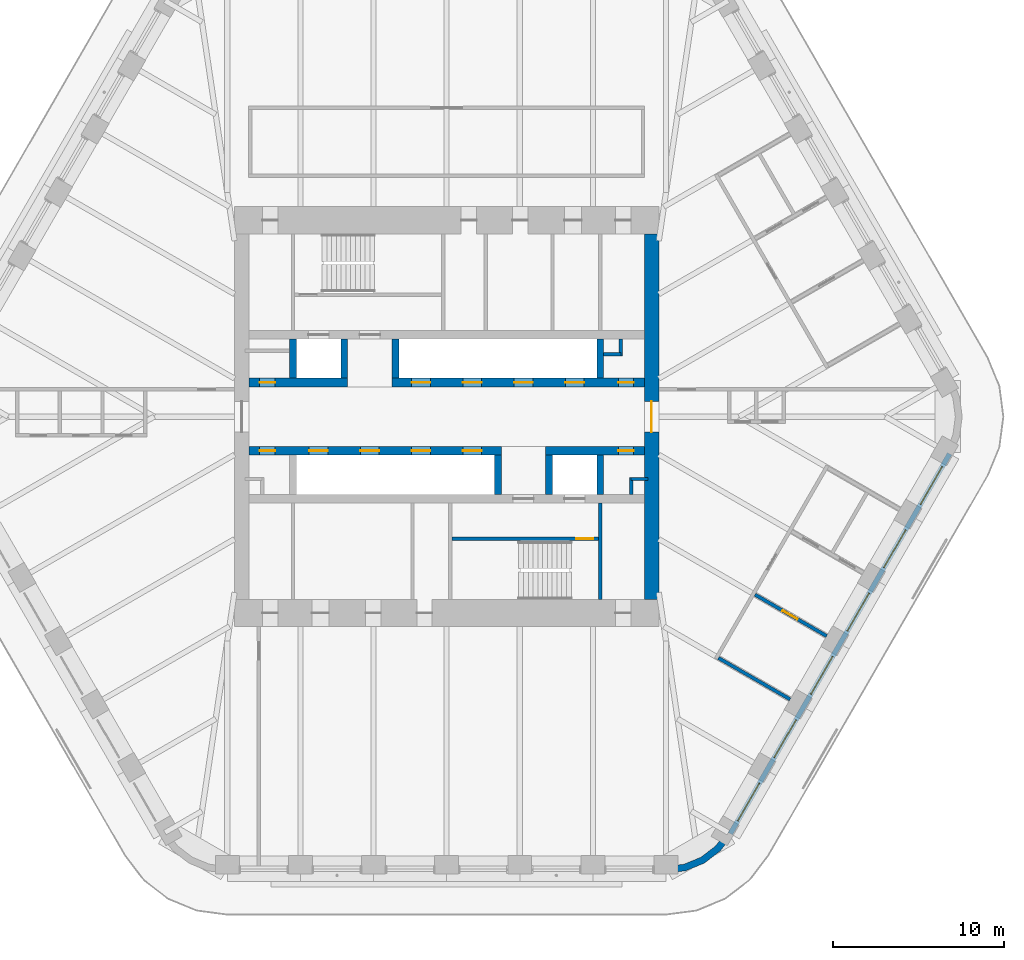
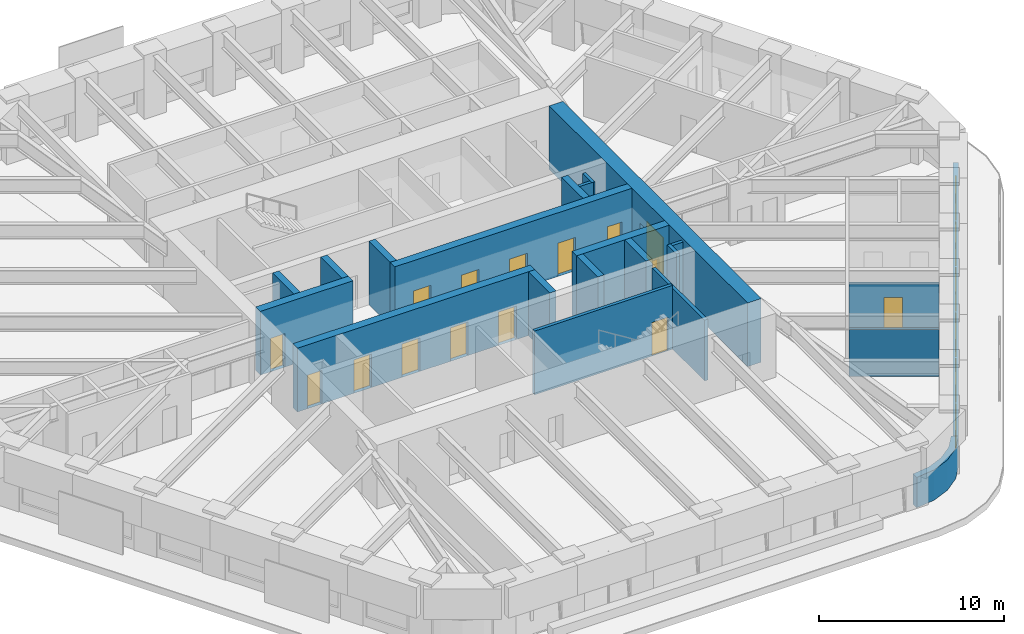
# One storey, part 14 of 18: 22 walls, 15 doors, 6 windows, 21 openings.
"""IFC4 building model written with IfcOpenShell, lengths in metres."""

from ifc_helpers import new_model, si_unit, direction, frame, frame_2d, origin, place, context, subcontext, project, spatial, polyline, rectangle, outline, extrude, material, layer, layer_set, type_object, element, fill, save


model = new_model("IFC4")

# Units and contexts
model_context = context("Model", 3, precision=1e-05, world=origin(), true_north=direction((0.0, 1.0)))
body_context = subcontext(model_context, "Body", "Model", "MODEL_VIEW")
ifc_project = project(units=[si_unit("LENGTHUNIT", "METRE"), si_unit("AREAUNIT", "SQUARE_METRE"), si_unit("VOLUMEUNIT", "CUBIC_METRE"), si_unit("PLANEANGLEUNIT", "RADIAN"), si_unit("MASSUNIT", "GRAM", prefix="KILO")], contexts=[model_context])

# Site, building, storey
site_placement = place(None, origin())
site = spatial("IfcSite", under=ifc_project, at=site_placement, CompositionType="ELEMENT")
building_placement = place(site_placement, origin())
building = spatial("IfcBuilding", under=site, at=building_placement, Name="Tarfa Lantern Tower", CompositionType="ELEMENT")
storey_placement = place(building_placement, frame((0.0, 0.0, 324.10009765625)))
storey = spatial("IfcBuildingStorey", under=building, at=storey_placement, Name="L73", CompositionType="ELEMENT", Elevation=324.10009765625)

# Wall, openings, windows
ifc_material_1 = material(Name="Limestone cladding on blockwork", Category="masonry")
ifc_layer_1 = layer(ifc_material_1, 0.300048828125)
ifc_layer_set_1 = layer_set([ifc_layer_1], Name="EW1 STONE-CLAD WALL 300")
wall_type_1 = type_object("IfcWallType", Name="EW1 STONE-CLAD WALL 300", PredefinedType="SOLIDWALL", material=ifc_layer_set_1)
wall_1_placement = place(storey_placement, frame((16.61328125, -24.425048828125, 0.0), z_axis=(0.0, 0.0, 1.0), x_axis=(0.499997191038, 0.866027025533, 0.0)))
wall_1 = element("IfcWall", 1, at=wall_1_placement, inside=storey, type_object=wall_type_1, Name="Stone wall SE", PredefinedType="SOLIDWALL", context=body_context, shape_type="SweptSolid", body=[
    extrude(rectangle(XDim=25.692138671875, YDim=0.300048828125, at=frame_2d((12.84619140625, 0.0))), origin(), (0.0, 0.0, 1.0), 2.0),
])
opening_1_placement = place(wall_1_placement, frame((0.865966796875, 0.0, 0.60009765625)))
opening_1 = element("IfcOpeningElement", 2, at=opening_1_placement, cuts=wall_1, Name="Opening W16", PredefinedType="OPENING", context=body_context, shape_type="SweptSolid", body=[
    extrude(rectangle(XDim=2.550048828125, YDim=1.14990234375, at=frame_2d((1.27490234375, 0.574951171875))), frame((0.0, 0.159912109375, 0.0), z_axis=(0.0, -1.0, 0.0), x_axis=(1.0, 0.0, 0.0)), (0.0, 0.0, 1.0), 0.320068359375),
])
opening_2_placement = place(wall_1_placement, frame((5.14794921875, 0.0, 0.60009765625)))
opening_2 = element("IfcOpeningElement", 3, at=opening_2_placement, cuts=wall_1, Name="Opening W16", PredefinedType="OPENING", context=body_context, shape_type="SweptSolid", body=[
    extrude(rectangle(XDim=2.550048828125, YDim=1.14990234375, at=frame_2d((1.27490234375, 0.574951171875))), frame((0.0, 0.159912109375, 0.0), z_axis=(0.0, -1.0, 0.0), x_axis=(1.0, 0.0, 0.0)), (0.0, 0.0, 1.0), 0.320068359375),
])
opening_3_placement = place(wall_1_placement, frame((9.429931640625, 0.0, 0.60009765625)))
opening_3 = element("IfcOpeningElement", 4, at=opening_3_placement, cuts=wall_1, Name="Opening W16", PredefinedType="OPENING", context=body_context, shape_type="SweptSolid", body=[
    extrude(rectangle(XDim=2.550048828125, YDim=1.14990234375, at=frame_2d((1.27490234375, 0.574951171875))), frame((0.0, 0.159912109375, 0.0), z_axis=(0.0, -1.0, 0.0), x_axis=(1.0, 0.0, 0.0)), (0.0, 0.0, 1.0), 0.320068359375),
])
opening_4_placement = place(wall_1_placement, frame((13.712158203125, 0.0, 0.60009765625)))
opening_4 = element("IfcOpeningElement", 5, at=opening_4_placement, cuts=wall_1, Name="Opening W16", PredefinedType="OPENING", context=body_context, shape_type="SweptSolid", body=[
    extrude(rectangle(XDim=2.550048828125, YDim=1.14990234375, at=frame_2d((1.27490234375, 0.574951171875))), frame((0.0, 0.159912109375, 0.0), z_axis=(0.0, -1.0, 0.0), x_axis=(1.0, 0.0, 0.0)), (0.0, 0.0, 1.0), 0.320068359375),
])
opening_5_placement = place(wall_1_placement, frame((17.994140625, 0.0, 0.60009765625)))
opening_5 = element("IfcOpeningElement", 6, at=opening_5_placement, cuts=wall_1, Name="Opening W16", PredefinedType="OPENING", context=body_context, shape_type="SweptSolid", body=[
    extrude(rectangle(XDim=2.550048828125, YDim=1.14990234375, at=frame_2d((1.27490234375, 0.574951171875))), frame((0.0, 0.159912109375, 0.0), z_axis=(0.0, -1.0, 0.0), x_axis=(1.0, 0.0, 0.0)), (0.0, 0.0, 1.0), 0.320068359375),
])
opening_6_placement = place(wall_1_placement, frame((22.276123046875, 0.0, 0.60009765625)))
opening_6 = element("IfcOpeningElement", 7, at=opening_6_placement, cuts=wall_1, Name="Opening W16", PredefinedType="OPENING", context=body_context, shape_type="SweptSolid", body=[
    extrude(rectangle(XDim=2.550048828125, YDim=1.14990234375, at=frame_2d((1.27490234375, 0.574951171875))), frame((0.0, 0.159912109375, 0.0), z_axis=(0.0, -1.0, 0.0), x_axis=(1.0, 0.0, 0.0)), (0.0, 0.0, 1.0), 0.320068359375),
])
ifc_material_2 = material(Name="Aluminium frame, double glazed", Category="aluminium")
window_type = type_object("IfcWindowType", Name="W16 FULL-HEIGHT GLAZING 2550x1150", PartitioningType="SINGLE_PANEL", PredefinedType="WINDOW", material=ifc_material_2)
window_1_placement = place(opening_1_placement, origin())
window_1 = element("IfcWindow", 8, at=window_1_placement, inside=storey, type_object=window_type, Name="Window SE 1", OverallHeight=1.14990234375, OverallWidth=2.550048828125, PartitioningType="SINGLE_PANEL", PredefinedType="WINDOW", context=body_context, shape_type="SweptSolid", body=[
    extrude(rectangle(XDim=2.550048828125, YDim=1.14990234375, at=frame_2d((1.27490234375, 0.574951171875))), frame((0.0, 0.030029296875, 0.0), z_axis=(0.0, -1.0, 0.0), x_axis=(1.0, 0.0, 0.0)), (0.0, 0.0, 1.0), 0.06005859375),
])
fill(opening_1, window_1)
window_2_placement = place(opening_2_placement, origin())
window_2 = element("IfcWindow", 9, at=window_2_placement, inside=storey, type_object=window_type, Name="Window SE 2", OverallHeight=1.14990234375, OverallWidth=2.550048828125, PartitioningType="SINGLE_PANEL", PredefinedType="WINDOW", context=body_context, shape_type="SweptSolid", body=[
    extrude(rectangle(XDim=2.550048828125, YDim=1.14990234375, at=frame_2d((1.27490234375, 0.574951171875))), frame((0.0, 0.030029296875, 0.0), z_axis=(0.0, -1.0, 0.0), x_axis=(1.0, 0.0, 0.0)), (0.0, 0.0, 1.0), 0.06005859375),
])
fill(opening_2, window_2)
window_3_placement = place(opening_3_placement, origin())
window_3 = element("IfcWindow", 10, at=window_3_placement, inside=storey, type_object=window_type, Name="Window SE 3", OverallHeight=1.14990234375, OverallWidth=2.550048828125, PartitioningType="SINGLE_PANEL", PredefinedType="WINDOW", context=body_context, shape_type="SweptSolid", body=[
    extrude(rectangle(XDim=2.550048828125, YDim=1.14990234375, at=frame_2d((1.27490234375, 0.574951171875))), frame((0.0, 0.030029296875, 0.0), z_axis=(0.0, -1.0, 0.0), x_axis=(1.0, 0.0, 0.0)), (0.0, 0.0, 1.0), 0.06005859375),
])
fill(opening_3, window_3)
window_4_placement = place(opening_4_placement, origin())
window_4 = element("IfcWindow", 11, at=window_4_placement, inside=storey, type_object=window_type, Name="Window SE 4", OverallHeight=1.14990234375, OverallWidth=2.550048828125, PartitioningType="SINGLE_PANEL", PredefinedType="WINDOW", context=body_context, shape_type="SweptSolid", body=[
    extrude(rectangle(XDim=2.550048828125, YDim=1.14990234375, at=frame_2d((1.27490234375, 0.574951171875))), frame((0.0, 0.030029296875, 0.0), z_axis=(0.0, -1.0, 0.0), x_axis=(1.0, 0.0, 0.0)), (0.0, 0.0, 1.0), 0.06005859375),
])
fill(opening_4, window_4)
window_5_placement = place(opening_5_placement, origin())
window_5 = element("IfcWindow", 12, at=window_5_placement, inside=storey, type_object=window_type, Name="Window SE 5", OverallHeight=1.14990234375, OverallWidth=2.550048828125, PartitioningType="SINGLE_PANEL", PredefinedType="WINDOW", context=body_context, shape_type="SweptSolid", body=[
    extrude(rectangle(XDim=2.550048828125, YDim=1.14990234375, at=frame_2d((1.27490234375, 0.574951171875))), frame((0.0, 0.030029296875, 0.0), z_axis=(0.0, -1.0, 0.0), x_axis=(1.0, 0.0, 0.0)), (0.0, 0.0, 1.0), 0.06005859375),
])
fill(opening_5, window_5)
window_6_placement = place(opening_6_placement, origin())
window_6 = element("IfcWindow", 13, at=window_6_placement, inside=storey, type_object=window_type, Name="Window SE 6", OverallHeight=1.14990234375, OverallWidth=2.550048828125, PartitioningType="SINGLE_PANEL", PredefinedType="WINDOW", context=body_context, shape_type="SweptSolid", body=[
    extrude(rectangle(XDim=2.550048828125, YDim=1.14990234375, at=frame_2d((1.27490234375, 0.574951171875))), frame((0.0, 0.030029296875, 0.0), z_axis=(0.0, -1.0, 0.0), x_axis=(1.0, 0.0, 0.0)), (0.0, 0.0, 1.0), 0.06005859375),
])
fill(opening_6, window_6)

# Walls
ifc_layer_2 = layer(ifc_material_1, 0.39990234375)
ifc_layer_set_2 = layer_set([ifc_layer_2], Name="EW2 CURVED STONE CORNER 400")
wall_type_2 = type_object("IfcWallType", Name="EW2 CURVED STONE CORNER 400", PredefinedType="SOLIDWALL", material=ifc_layer_set_2)
wall_2_placement = place(storey_placement, origin())
element("IfcWall", 14, at=wall_2_placement, inside=storey, type_object=wall_type_2, Name="Stone corner S-SE", PredefinedType="SOLIDWALL", context=body_context, shape_type="SweptSolid", body=[
    extrude(outline(polyline([(12.845947265625, -26.75), (14.0107421875, -26.5966796875), (15.095947265625, -26.147216796875), (16.028076171875, -25.431884765625), (16.7431640625, -24.5), (16.396728515625, -24.300048828125), (15.7451171875, -25.149169921875), (14.89599609375, -25.80078125), (13.9072265625, -26.210205078125), (12.845947265625, -26.35009765625), (12.845947265625, -26.75)])), origin(), (0.0, 0.0, 1.0), 2.0),
])
ifc_material_3 = material(Name="Concrete blockwork", Category="masonry")
ifc_layer_3 = layer(ifc_material_3, 0.199951171875)
ifc_layer_set_3 = layer_set([ifc_layer_3], Name="IW1 BLOCKWORK PARTITION 200 EI 120")
wall_type_3 = type_object("IfcWallType", Name="IW1 BLOCKWORK PARTITION 200 EI 120", PredefinedType="PARTITIONING", material=ifc_layer_set_3)
wall_3_placement = place(storey_placement, frame((9.0, -5.050048828125, 0.0), z_axis=(0.0, 0.0, 1.0), x_axis=(0.0, -1.0, 0.0)))
element("IfcWall", 15, at=wall_3_placement, inside=storey, type_object=wall_type_3, Name="Core partition", PredefinedType="PARTITIONING", context=body_context, shape_type="SweptSolid", body=[
    extrude(rectangle(XDim=5.64990234375, YDim=0.199951171875, at=frame_2d((2.824951171875, 0.0))), origin(), (0.0, 0.0, 1.0), 4.0),
])
for number, where, z_axis, x_axis, name in (
    (16, (9.199951171875, 3.64990234375, 0.0), (0.0, 0.0, 1.0), (1.0, 0.0, 0.0), "Core partition"),
    (17, (10.199951171875, 3.550048828125, 0.0), (0.0, 0.0, 1.0), (0.0, 1.0, 0.0), "Core partition"),
    (18, (11.800048828125, -3.64990234375, 0.0), (0.0, 0.0, 1.0), (-1.0, 0.0, 0.0), "Core partition"),
    (19, (10.800048828125, -3.550048828125, 0.0), (0.0, 0.0, 1.0), (0.0, -1.0, 0.0), "Core partition"),
):
    element("IfcWall", number, at=place(storey_placement, frame(where, z_axis=z_axis, x_axis=x_axis)), inside=storey, type_object=wall_type_3, Name=name, PredefinedType="PARTITIONING", context=body_context, shape_type="SweptSolid", body=[
        extrude(rectangle(XDim=1.0, YDim=0.199951171875, at=frame_2d((0.5, 0.0))), origin(), (0.0, 0.0, 1.0), 4.0),
    ])
ifc_material_4 = material(Name="Gypsum board on steel studs", Category="steel")
ifc_layer_4 = layer(ifc_material_4, 0.2099609375)
ifc_layer_set_4 = layer_set([ifc_layer_4], Name="IW2 ACOUSTIC PARTITION 200")
wall_type_4 = type_object("IfcWallType", Name="IW2 ACOUSTIC PARTITION 200", PredefinedType="PARTITIONING", material=ifc_layer_set_4)
wall_4_placement = place(storey_placement, frame((15.91552734375, -14.13330078125, 0.0), z_axis=(0.0, 0.0, 1.0), x_axis=(0.866032190624, -0.499988244665, 0.0)))
element("IfcWall", 20, at=wall_4_placement, inside=storey, type_object=wall_type_4, Name="Partition", PredefinedType="PARTITIONING", context=body_context, shape_type="SweptSolid", body=[
    extrude(rectangle(XDim=4.85009765625, YDim=0.199951171875, at=frame_2d((2.425048828125, 0.0))), origin(), (0.0, 0.0, 1.0), 3.08154296875),
])

# Wall, opening, door
wall_5_placement = place(storey_placement, frame((18.056640625, -10.425048828125, 0.0), z_axis=(0.0, 0.0, 1.0), x_axis=(0.866019606374, -0.500010041276, 0.0)))
wall_5 = element("IfcWall", 21, at=wall_5_placement, inside=storey, type_object=wall_type_4, Name="Partition", PredefinedType="PARTITIONING", context=body_context, shape_type="SweptSolid", body=[
    extrude(rectangle(XDim=4.85009765625, YDim=0.199951171875, at=frame_2d((2.425048828125, 0.0))), origin(), (0.0, 0.0, 1.0), 3.08154296875),
])
opening_7_placement = place(wall_5_placement, frame((1.875, 0.0, 0.0)))
opening_7 = element("IfcOpeningElement", 22, at=opening_7_placement, cuts=wall_5, Name="Opening D25", PredefinedType="OPENING", context=body_context, shape_type="SweptSolid", body=[
    extrude(rectangle(XDim=1.0, YDim=2.199951171875, at=frame_2d((0.5, 1.10009765625))), frame((0.0, 0.10986328125, 0.0), z_axis=(0.0, -1.0, 0.0), x_axis=(1.0, 0.0, 0.0)), (0.0, 0.0, 1.0), 0.219970703125),
])
ifc_material_5 = material(Name="Timber door", Category="wood")
door_type_1 = type_object("IfcDoorType", Name="DR1 ROOM DOOR 1000x2200", OperationType="SINGLE_SWING_LEFT", PredefinedType="DOOR", material=ifc_material_5)
door_1_placement = place(opening_7_placement, frame((1.0, 0.0, 0.0), z_axis=(0.0, 0.0, 1.0), x_axis=(-1.0, 0.0, 0.0)))
door_1 = element("IfcDoor", 23, at=door_1_placement, inside=storey, type_object=door_type_1, Name="Executive office door", OperationType="SINGLE_SWING_LEFT", OverallHeight=2.199951171875, OverallWidth=1.0, PredefinedType="DOOR", context=body_context, shape_type="SweptSolid", body=[
    extrude(rectangle(XDim=1.0, YDim=2.199951171875, at=frame_2d((0.5, 1.10009765625))), frame((0.0, 0.02490234375, 0.0), z_axis=(0.0, -1.0, 0.0), x_axis=(1.0, 0.0, 0.0)), (0.0, 0.0, 1.0), 0.050048828125),
])
fill(opening_7, door_1)

ifc_material_6 = material(Name="Concrete C80/95", Category="concrete")
ifc_layer_5 = layer(ifc_material_6, 0.199951171875)
ifc_layer_set_5 = layer_set([ifc_layer_5], Name="SW12 CORE WALL 200")
wall_type_5 = type_object("IfcWallType", Name="SW12 CORE WALL 200", PredefinedType="SHEAR", material=ifc_layer_set_5)
wall_6_placement = place(storey_placement, frame((8.89990234375, -7.14990234375, 0.0), z_axis=(0.0, 0.0, 1.0), x_axis=(-1.0, 0.0, 0.0)))
wall_6 = element("IfcWall", 24, at=wall_6_placement, inside=storey, type_object=wall_type_5, Name="Core wall stair partition S", PredefinedType="SHEAR", context=body_context, shape_type="SweptSolid", body=[
    extrude(rectangle(XDim=8.599853515625, YDim=0.199951171875, at=frame_2d((4.2998046875, 0.0))), origin(), (0.0, 0.0, 1.0), 4.199951171875),
])
opening_8_placement = place(wall_6_placement, frame((0.300048828125, 0.0, 0.0)))
opening_8 = element("IfcOpeningElement", 25, at=opening_8_placement, cuts=wall_6, Name="Opening D20", PredefinedType="OPENING", context=body_context, shape_type="SweptSolid", body=[
    extrude(rectangle(XDim=1.0, YDim=2.199951171875, at=frame_2d((0.5, 1.10009765625))), frame((0.0, 0.10986328125, 0.0), z_axis=(0.0, -1.0, 0.0), x_axis=(1.0, 0.0, 0.0)), (0.0, 0.0, 1.0), 0.219970703125),
])
ifc_material_7 = material(Name="Steel fire door", Category="steel")
door_type_2 = type_object("IfcDoorType", Name="DF2 STAIR DOOR 1000x2200", OperationType="SINGLE_SWING_LEFT", PredefinedType="DOOR", material=ifc_material_7)
door_2_placement = place(opening_8_placement, origin())
door_2 = element("IfcDoor", 26, at=door_2_placement, inside=storey, type_object=door_type_2, Name="Stair door", OperationType="SINGLE_SWING_RIGHT", OverallHeight=2.199951171875, OverallWidth=1.0, PredefinedType="DOOR", context=body_context, shape_type="SweptSolid", body=[
    extrude(rectangle(XDim=1.0, YDim=2.199951171875, at=frame_2d((0.5, 1.10009765625))), frame((0.0, 0.02490234375, 0.0), z_axis=(0.0, -1.0, 0.0), x_axis=(1.0, 0.0, 0.0)), (0.0, 0.0, 1.0), 0.050048828125),
])
fill(opening_8, door_2)

ifc_layer_6 = layer(ifc_material_6, 0.85009765625)
ifc_layer_set_6 = layer_set([ifc_layer_6], Name="SW3 CORE WALL 850")
wall_type_6 = type_object("IfcWallType", Name="SW3 CORE WALL 850", PredefinedType="SHEAR", material=ifc_layer_set_6)
wall_7_placement = place(storey_placement, frame((12.0, -10.699951171875, 0.0), z_axis=(0.0, 0.0, 1.0), x_axis=(0.0, 1.0, 0.0)))
wall_7 = element("IfcWall", 27, at=wall_7_placement, inside=storey, type_object=wall_type_6, Name="Core wall E", PredefinedType="SHEAR", context=body_context, shape_type="SweptSolid", body=[
    extrude(rectangle(XDim=21.39990234375, YDim=0.85009765625, at=frame_2d((10.699951171875, 0.0))), origin(), (0.0, 0.0, 1.0), 4.199951171875),
])
opening_9_placement = place(wall_7_placement, frame((9.800048828125, 0.0, 0.0)))
opening_9 = element("IfcOpeningElement", 28, at=opening_9_placement, cuts=wall_7, Name="Opening D07", PredefinedType="OPENING", context=body_context, shape_type="SweptSolid", body=[
    extrude(rectangle(XDim=1.800048828125, YDim=2.39990234375, at=frame_2d((0.89990234375, 1.199951171875))), frame((0.0, 0.43505859375, 0.0), z_axis=(0.0, -1.0, 0.0), x_axis=(1.0, 0.0, 0.0)), (0.0, 0.0, 1.0), 0.8701171875),
])
door_type_3 = type_object("IfcDoorType", Name="DL1 LOBBY DOOR 1800x2400", OperationType="DOUBLE_DOOR_SINGLE_SWING", PredefinedType="DOOR", material=ifc_material_7)
door_3_placement = place(opening_9_placement, frame((1.800048828125, 0.0, 0.0), z_axis=(0.0, 0.0, 1.0), x_axis=(-1.0, 0.0, 0.0)))
door_3 = element("IfcDoor", 29, at=door_3_placement, inside=storey, type_object=door_type_3, Name="Lift lobby door", OperationType="DOUBLE_DOOR_SINGLE_SWING", OverallHeight=2.39990234375, OverallWidth=1.800048828125, PredefinedType="DOOR", context=body_context, shape_type="SweptSolid", body=[
    extrude(rectangle(XDim=1.800048828125, YDim=2.39990234375, at=frame_2d((0.89990234375, 1.199951171875))), frame((0.0, 0.02490234375, 0.0), z_axis=(0.0, -1.0, 0.0), x_axis=(1.0, 0.0, 0.0)), (0.0, 0.0, 1.0), 0.050048828125),
])
fill(opening_9, door_3)

ifc_layer_7 = layer(ifc_material_6, 0.5)
ifc_layer_set_7 = layer_set([ifc_layer_7], Name="SW5 CORE WALL 500")
wall_type_7 = type_object("IfcWallType", Name="SW5 CORE WALL 500", PredefinedType="SHEAR", material=ifc_layer_set_7)
wall_8_placement = place(storey_placement, frame((-11.574951171875, 2.0, 0.0), z_axis=(0.0, 0.0, 1.0), x_axis=(1.0, 0.0, 0.0)))
wall_8 = element("IfcWall", 30, at=wall_8_placement, inside=storey, type_object=wall_type_7, Name="Core wall lobby west N", PredefinedType="SHEAR", context=body_context, shape_type="SweptSolid", body=[
    extrude(rectangle(XDim=5.77490234375, YDim=0.5, at=frame_2d((2.887451171875, 0.0))), origin(), (0.0, 0.0, 1.0), 4.199951171875),
])
opening_10_placement = place(wall_8_placement, frame((0.625, 0.0, 0.0)))
opening_10 = element("IfcOpeningElement", 31, at=opening_10_placement, cuts=wall_8, Name="Opening D11", PredefinedType="OPENING", context=body_context, shape_type="SweptSolid", body=[
    extrude(rectangle(XDim=0.89990234375, YDim=2.199951171875, at=frame_2d((0.449951171875, 1.10009765625))), frame((0.0, 0.260009765625, 0.0), z_axis=(0.0, -1.0, 0.0), x_axis=(1.0, 0.0, 0.0)), (0.0, 0.0, 1.0), 0.52001953125),
])
door_type_4 = type_object("IfcDoorType", Name="DF6 SERVICE ROOM DOOR 900x2200", OperationType="SINGLE_SWING_LEFT", PredefinedType="DOOR", material=ifc_material_7)
door_4_placement = place(opening_10_placement, origin())
door_4 = element("IfcDoor", 32, at=door_4_placement, inside=storey, type_object=door_type_4, Name="Service room door", OperationType="SINGLE_SWING_RIGHT", OverallHeight=2.199951171875, OverallWidth=0.89990234375, PredefinedType="DOOR", context=body_context, shape_type="SweptSolid", body=[
    extrude(rectangle(XDim=0.89990234375, YDim=2.199951171875, at=frame_2d((0.449951171875, 1.10009765625))), frame((0.0, 0.02490234375, 0.0), z_axis=(0.0, -1.0, 0.0), x_axis=(1.0, 0.0, 0.0)), (0.0, 0.0, 1.0), 0.050048828125),
])
fill(opening_10, door_4)

# Wall, openings, doors
wall_9_placement = place(storey_placement, frame((-3.199951171875, 2.0, 0.0), z_axis=(0.0, 0.0, 1.0), x_axis=(1.0, 0.0, 0.0)))
wall_9 = element("IfcWall", 33, at=wall_9_placement, inside=storey, type_object=wall_type_7, Name="Core wall lobby east N", PredefinedType="SHEAR", context=body_context, shape_type="SweptSolid", body=[
    extrude(rectangle(XDim=14.77490234375, YDim=0.5, at=frame_2d((7.387451171875, 0.0))), origin(), (0.0, 0.0, 1.0), 4.199951171875),
])
opening_11_placement = place(wall_9_placement, frame((13.25, 0.0, 0.0)))
opening_11 = element("IfcOpeningElement", 34, at=opening_11_placement, cuts=wall_9, Name="Opening D09", PredefinedType="OPENING", context=body_context, shape_type="SweptSolid", body=[
    extrude(rectangle(XDim=0.89990234375, YDim=2.199951171875, at=frame_2d((0.449951171875, 1.10009765625))), frame((0.0, 0.260009765625, 0.0), z_axis=(0.0, -1.0, 0.0), x_axis=(1.0, 0.0, 0.0)), (0.0, 0.0, 1.0), 0.52001953125),
])
opening_12_placement = place(wall_9_placement, frame((1.14990234375, 0.0, 0.0)))
opening_12 = element("IfcOpeningElement", 35, at=opening_12_placement, cuts=wall_9, Name="Opening LD03", PredefinedType="OPENING", context=body_context, shape_type="SweptSolid", body=[
    extrude(rectangle(XDim=1.10009765625, YDim=2.199951171875, at=frame_2d((0.550048828125, 1.10009765625))), frame((0.0, 0.260009765625, 0.0), z_axis=(0.0, -1.0, 0.0), x_axis=(1.0, 0.0, 0.0)), (0.0, 0.0, 1.0), 0.52001953125),
])
opening_13_placement = place(wall_9_placement, frame((4.14990234375, 0.0, 0.0)))
opening_13 = element("IfcOpeningElement", 36, at=opening_13_placement, cuts=wall_9, Name="Opening LD04", PredefinedType="OPENING", context=body_context, shape_type="SweptSolid", body=[
    extrude(rectangle(XDim=1.10009765625, YDim=2.199951171875, at=frame_2d((0.550048828125, 1.10009765625))), frame((0.0, 0.260009765625, 0.0), z_axis=(0.0, -1.0, 0.0), x_axis=(1.0, 0.0, 0.0)), (0.0, 0.0, 1.0), 0.52001953125),
])
opening_14_placement = place(wall_9_placement, frame((7.14990234375, 0.0, 0.0)))
opening_14 = element("IfcOpeningElement", 37, at=opening_14_placement, cuts=wall_9, Name="Opening LD05", PredefinedType="OPENING", context=body_context, shape_type="SweptSolid", body=[
    extrude(rectangle(XDim=1.10009765625, YDim=2.199951171875, at=frame_2d((0.550048828125, 1.10009765625))), frame((0.0, 0.260009765625, 0.0), z_axis=(0.0, -1.0, 0.0), x_axis=(1.0, 0.0, 0.0)), (0.0, 0.0, 1.0), 0.52001953125),
])
opening_15_placement = place(wall_9_placement, frame((10.14990234375, 0.0, 0.0)))
opening_15 = element("IfcOpeningElement", 38, at=opening_15_placement, cuts=wall_9, Name="Opening LD06", PredefinedType="OPENING", context=body_context, shape_type="SweptSolid", body=[
    extrude(rectangle(XDim=1.10009765625, YDim=2.199951171875, at=frame_2d((0.550048828125, 1.10009765625))), frame((0.0, 0.260009765625, 0.0), z_axis=(0.0, -1.0, 0.0), x_axis=(1.0, 0.0, 0.0)), (0.0, 0.0, 1.0), 0.52001953125),
])
door_5_placement = place(opening_11_placement, origin())
door_5 = element("IfcDoor", 39, at=door_5_placement, inside=storey, type_object=door_type_4, Name="Service room door", OperationType="SINGLE_SWING_LEFT", OverallHeight=2.199951171875, OverallWidth=0.89990234375, PredefinedType="DOOR", context=body_context, shape_type="SweptSolid", body=[
    extrude(rectangle(XDim=0.89990234375, YDim=2.199951171875, at=frame_2d((0.449951171875, 1.10009765625))), frame((0.0, 0.02490234375, 0.0), z_axis=(0.0, -1.0, 0.0), x_axis=(1.0, 0.0, 0.0)), (0.0, 0.0, 1.0), 0.050048828125),
])
fill(opening_11, door_5)
ifc_material_8 = material(Name="Stainless steel lift door", Category="steel")
door_type_5 = type_object("IfcDoorType", Name="LD2 LIFT LANDING DOOR 1100x2200", OperationType="SLIDING_TO_LEFT", PredefinedType="DOOR", material=ifc_material_8)
door_6_placement = place(opening_12_placement, frame((1.10009765625, 0.0, 0.0), z_axis=(0.0, 0.0, 1.0), x_axis=(-1.0, 0.0, 0.0)))
door_6 = element("IfcDoor", 40, at=door_6_placement, inside=storey, type_object=door_type_5, Name="Landing door PD1", OperationType="SLIDING_TO_LEFT", OverallHeight=2.199951171875, OverallWidth=1.10009765625, PredefinedType="DOOR", context=body_context, shape_type="SweptSolid", body=[
    extrude(rectangle(XDim=1.10009765625, YDim=2.199951171875, at=frame_2d((0.550048828125, 1.10009765625))), frame((0.0, 0.02490234375, 0.0), z_axis=(0.0, -1.0, 0.0), x_axis=(1.0, 0.0, 0.0)), (0.0, 0.0, 1.0), 0.050048828125),
])
fill(opening_12, door_6)
door_7_placement = place(opening_13_placement, frame((1.10009765625, 0.0, 0.0), z_axis=(0.0, 0.0, 1.0), x_axis=(-1.0, 0.0, 0.0)))
door_7 = element("IfcDoor", 41, at=door_7_placement, inside=storey, type_object=door_type_5, Name="Landing door PD2", OperationType="SLIDING_TO_LEFT", OverallHeight=2.199951171875, OverallWidth=1.10009765625, PredefinedType="DOOR", context=body_context, shape_type="SweptSolid", body=[
    extrude(rectangle(XDim=1.10009765625, YDim=2.199951171875, at=frame_2d((0.550048828125, 1.10009765625))), frame((0.0, 0.02490234375, 0.0), z_axis=(0.0, -1.0, 0.0), x_axis=(1.0, 0.0, 0.0)), (0.0, 0.0, 1.0), 0.050048828125),
])
fill(opening_13, door_7)
door_8_placement = place(opening_14_placement, frame((1.10009765625, 0.0, 0.0), z_axis=(0.0, 0.0, 1.0), x_axis=(-1.0, 0.0, 0.0)))
door_8 = element("IfcDoor", 42, at=door_8_placement, inside=storey, type_object=door_type_5, Name="Landing door PD3", OperationType="SLIDING_TO_LEFT", OverallHeight=2.199951171875, OverallWidth=1.10009765625, PredefinedType="DOOR", context=body_context, shape_type="SweptSolid", body=[
    extrude(rectangle(XDim=1.10009765625, YDim=2.199951171875, at=frame_2d((0.550048828125, 1.10009765625))), frame((0.0, 0.02490234375, 0.0), z_axis=(0.0, -1.0, 0.0), x_axis=(1.0, 0.0, 0.0)), (0.0, 0.0, 1.0), 0.050048828125),
])
fill(opening_14, door_8)
door_9_placement = place(opening_15_placement, frame((1.10009765625, 0.0, 0.0), z_axis=(0.0, 0.0, 1.0), x_axis=(-1.0, 0.0, 0.0)))
door_9 = element("IfcDoor", 43, at=door_9_placement, inside=storey, type_object=door_type_5, Name="Landing door PD4", OperationType="SLIDING_TO_LEFT", OverallHeight=2.199951171875, OverallWidth=1.10009765625, PredefinedType="DOOR", context=body_context, shape_type="SweptSolid", body=[
    extrude(rectangle(XDim=1.10009765625, YDim=2.199951171875, at=frame_2d((0.550048828125, 1.10009765625))), frame((0.0, 0.02490234375, 0.0), z_axis=(0.0, -1.0, 0.0), x_axis=(1.0, 0.0, 0.0)), (0.0, 0.0, 1.0), 0.050048828125),
])
fill(opening_15, door_9)

# Wall, opening, door
wall_10_placement = place(storey_placement, frame((11.574951171875, -2.0, 0.0), z_axis=(0.0, 0.0, 1.0), x_axis=(-1.0, 0.0, 0.0)))
wall_10 = element("IfcWall", 44, at=wall_10_placement, inside=storey, type_object=wall_type_7, Name="Core wall lobby west S", PredefinedType="SHEAR", context=body_context, shape_type="SweptSolid", body=[
    extrude(rectangle(XDim=5.77490234375, YDim=0.5, at=frame_2d((2.887451171875, 0.0))), origin(), (0.0, 0.0, 1.0), 4.199951171875),
])
opening_16_placement = place(wall_10_placement, frame((0.625, 0.0, 0.0)))
opening_16 = element("IfcOpeningElement", 45, at=opening_16_placement, cuts=wall_10, Name="Opening D12", PredefinedType="OPENING", context=body_context, shape_type="SweptSolid", body=[
    extrude(rectangle(XDim=0.89990234375, YDim=2.199951171875, at=frame_2d((0.449951171875, 1.10009765625))), frame((0.0, 0.260009765625, 0.0), z_axis=(0.0, -1.0, 0.0), x_axis=(1.0, 0.0, 0.0)), (0.0, 0.0, 1.0), 0.52001953125),
])
door_10_placement = place(opening_16_placement, origin())
door_10 = element("IfcDoor", 46, at=door_10_placement, inside=storey, type_object=door_type_4, Name="Service room door", OperationType="SINGLE_SWING_RIGHT", OverallHeight=2.199951171875, OverallWidth=0.89990234375, PredefinedType="DOOR", context=body_context, shape_type="SweptSolid", body=[
    extrude(rectangle(XDim=0.89990234375, YDim=2.199951171875, at=frame_2d((0.449951171875, 1.10009765625))), frame((0.0, 0.02490234375, 0.0), z_axis=(0.0, -1.0, 0.0), x_axis=(1.0, 0.0, 0.0)), (0.0, 0.0, 1.0), 0.050048828125),
])
fill(opening_16, door_10)

# Wall, openings, doors
wall_11_placement = place(storey_placement, frame((3.199951171875, -2.0, 0.0), z_axis=(0.0, 0.0, 1.0), x_axis=(-1.0, 0.0, 0.0)))
wall_11 = element("IfcWall", 47, at=wall_11_placement, inside=storey, type_object=wall_type_7, Name="Core wall lobby east S", PredefinedType="SHEAR", context=body_context, shape_type="SweptSolid", body=[
    extrude(rectangle(XDim=14.77490234375, YDim=0.5, at=frame_2d((7.387451171875, 0.0))), origin(), (0.0, 0.0, 1.0), 4.199951171875),
])
opening_17_placement = place(wall_11_placement, frame((13.25, 0.0, 0.0)))
opening_17 = element("IfcOpeningElement", 48, at=opening_17_placement, cuts=wall_11, Name="Opening D10", PredefinedType="OPENING", context=body_context, shape_type="SweptSolid", body=[
    extrude(rectangle(XDim=0.89990234375, YDim=2.199951171875, at=frame_2d((0.449951171875, 1.10009765625))), frame((0.0, 0.260009765625, 0.0), z_axis=(0.0, -1.0, 0.0), x_axis=(1.0, 0.0, 0.0)), (0.0, 0.0, 1.0), 0.52001953125),
])
opening_18_placement = place(wall_11_placement, frame((1.14990234375, 0.0, 0.0)))
opening_18 = element("IfcOpeningElement", 49, at=opening_18_placement, cuts=wall_11, Name="Opening LD07", PredefinedType="OPENING", context=body_context, shape_type="SweptSolid", body=[
    extrude(rectangle(XDim=1.10009765625, YDim=2.199951171875, at=frame_2d((0.550048828125, 1.10009765625))), frame((0.0, 0.260009765625, 0.0), z_axis=(0.0, -1.0, 0.0), x_axis=(1.0, 0.0, 0.0)), (0.0, 0.0, 1.0), 0.52001953125),
])
opening_19_placement = place(wall_11_placement, frame((4.14990234375, 0.0, 0.0)))
opening_19 = element("IfcOpeningElement", 50, at=opening_19_placement, cuts=wall_11, Name="Opening LD08", PredefinedType="OPENING", context=body_context, shape_type="SweptSolid", body=[
    extrude(rectangle(XDim=1.10009765625, YDim=2.199951171875, at=frame_2d((0.550048828125, 1.10009765625))), frame((0.0, 0.260009765625, 0.0), z_axis=(0.0, -1.0, 0.0), x_axis=(1.0, 0.0, 0.0)), (0.0, 0.0, 1.0), 0.52001953125),
])
opening_20_placement = place(wall_11_placement, frame((7.14990234375, 0.0, 0.0)))
opening_20 = element("IfcOpeningElement", 51, at=opening_20_placement, cuts=wall_11, Name="Opening LD09", PredefinedType="OPENING", context=body_context, shape_type="SweptSolid", body=[
    extrude(rectangle(XDim=1.10009765625, YDim=2.199951171875, at=frame_2d((0.550048828125, 1.10009765625))), frame((0.0, 0.260009765625, 0.0), z_axis=(0.0, -1.0, 0.0), x_axis=(1.0, 0.0, 0.0)), (0.0, 0.0, 1.0), 0.52001953125),
])
opening_21_placement = place(wall_11_placement, frame((10.14990234375, 0.0, 0.0)))
opening_21 = element("IfcOpeningElement", 52, at=opening_21_placement, cuts=wall_11, Name="Opening LD10", PredefinedType="OPENING", context=body_context, shape_type="SweptSolid", body=[
    extrude(rectangle(XDim=1.10009765625, YDim=2.199951171875, at=frame_2d((0.550048828125, 1.10009765625))), frame((0.0, 0.260009765625, 0.0), z_axis=(0.0, -1.0, 0.0), x_axis=(1.0, 0.0, 0.0)), (0.0, 0.0, 1.0), 0.52001953125),
])
door_11_placement = place(opening_17_placement, origin())
door_11 = element("IfcDoor", 53, at=door_11_placement, inside=storey, type_object=door_type_4, Name="Service room door", OperationType="SINGLE_SWING_LEFT", OverallHeight=2.199951171875, OverallWidth=0.89990234375, PredefinedType="DOOR", context=body_context, shape_type="SweptSolid", body=[
    extrude(rectangle(XDim=0.89990234375, YDim=2.199951171875, at=frame_2d((0.449951171875, 1.10009765625))), frame((0.0, 0.02490234375, 0.0), z_axis=(0.0, -1.0, 0.0), x_axis=(1.0, 0.0, 0.0)), (0.0, 0.0, 1.0), 0.050048828125),
])
fill(opening_17, door_11)
door_12_placement = place(opening_18_placement, frame((1.10009765625, 0.0, 0.0), z_axis=(0.0, 0.0, 1.0), x_axis=(-1.0, 0.0, 0.0)))
door_12 = element("IfcDoor", 54, at=door_12_placement, inside=storey, type_object=door_type_5, Name="Landing door PD5", OperationType="SLIDING_TO_LEFT", OverallHeight=2.199951171875, OverallWidth=1.10009765625, PredefinedType="DOOR", context=body_context, shape_type="SweptSolid", body=[
    extrude(rectangle(XDim=1.10009765625, YDim=2.199951171875, at=frame_2d((0.550048828125, 1.10009765625))), frame((0.0, 0.02490234375, 0.0), z_axis=(0.0, -1.0, 0.0), x_axis=(1.0, 0.0, 0.0)), (0.0, 0.0, 1.0), 0.050048828125),
])
fill(opening_18, door_12)
door_13_placement = place(opening_19_placement, frame((1.10009765625, 0.0, 0.0), z_axis=(0.0, 0.0, 1.0), x_axis=(-1.0, 0.0, 0.0)))
door_13 = element("IfcDoor", 55, at=door_13_placement, inside=storey, type_object=door_type_5, Name="Landing door PD6", OperationType="SLIDING_TO_LEFT", OverallHeight=2.199951171875, OverallWidth=1.10009765625, PredefinedType="DOOR", context=body_context, shape_type="SweptSolid", body=[
    extrude(rectangle(XDim=1.10009765625, YDim=2.199951171875, at=frame_2d((0.550048828125, 1.10009765625))), frame((0.0, 0.02490234375, 0.0), z_axis=(0.0, -1.0, 0.0), x_axis=(1.0, 0.0, 0.0)), (0.0, 0.0, 1.0), 0.050048828125),
])
fill(opening_19, door_13)
door_14_placement = place(opening_20_placement, frame((1.10009765625, 0.0, 0.0), z_axis=(0.0, 0.0, 1.0), x_axis=(-1.0, 0.0, 0.0)))
door_14 = element("IfcDoor", 56, at=door_14_placement, inside=storey, type_object=door_type_5, Name="Landing door PD7", OperationType="SLIDING_TO_LEFT", OverallHeight=2.199951171875, OverallWidth=1.10009765625, PredefinedType="DOOR", context=body_context, shape_type="SweptSolid", body=[
    extrude(rectangle(XDim=1.10009765625, YDim=2.199951171875, at=frame_2d((0.550048828125, 1.10009765625))), frame((0.0, 0.02490234375, 0.0), z_axis=(0.0, -1.0, 0.0), x_axis=(1.0, 0.0, 0.0)), (0.0, 0.0, 1.0), 0.050048828125),
])
fill(opening_20, door_14)
door_15_placement = place(opening_21_placement, frame((1.10009765625, 0.0, 0.0), z_axis=(0.0, 0.0, 1.0), x_axis=(-1.0, 0.0, 0.0)))
door_15 = element("IfcDoor", 57, at=door_15_placement, inside=storey, type_object=door_type_5, Name="Landing door PD8", OperationType="SLIDING_TO_LEFT", OverallHeight=2.199951171875, OverallWidth=1.10009765625, PredefinedType="DOOR", context=body_context, shape_type="SweptSolid", body=[
    extrude(rectangle(XDim=1.10009765625, YDim=2.199951171875, at=frame_2d((0.550048828125, 1.10009765625))), frame((0.0, 0.02490234375, 0.0), z_axis=(0.0, -1.0, 0.0), x_axis=(1.0, 0.0, 0.0)), (0.0, 0.0, 1.0), 0.050048828125),
])
fill(opening_21, door_15)

# Walls
ifc_layer_8 = layer(ifc_material_6, 0.39990234375)
ifc_layer_set_8 = layer_set([ifc_layer_8], Name="SW6 CORE WALL 400")
wall_type_8 = type_object("IfcWallType", Name="SW6 CORE WALL 400", PredefinedType="SHEAR", material=ifc_layer_set_8)
for number, where, z_axis, x_axis, name in (
    (58, (-9.0, 2.25, 0.0), (0.0, 0.0, 1.0), (0.0, 1.0, 0.0), "Core wall divider N"),
    (59, (-6.0, 2.25, 0.0), (0.0, 0.0, 1.0), (0.0, 1.0, 0.0), "Core wall divider N"),
    (60, (-3.0, 2.25, 0.0), (0.0, 0.0, 1.0), (0.0, 1.0, 0.0), "Core wall divider N"),
    (61, (9.0, 2.25, 0.0), (0.0, 0.0, 1.0), (0.0, 1.0, 0.0), "Core wall divider N"),
    (62, (9.0, -2.25, 0.0), (0.0, 0.0, 1.0), (0.0, -1.0, 0.0), "Core wall divider S"),
    (63, (6.0, -2.25, 0.0), (0.0, 0.0, 1.0), (0.0, -1.0, 0.0), "Core wall divider S"),
    (64, (3.0, -2.25, 0.0), (0.0, 0.0, 1.0), (0.0, -1.0, 0.0), "Core wall divider S"),
):
    element("IfcWall", number, at=place(storey_placement, frame(where, z_axis=z_axis, x_axis=x_axis)), inside=storey, type_object=wall_type_8, Name=name, PredefinedType="SHEAR", context=body_context, shape_type="SweptSolid", body=[
        extrude(rectangle(XDim=2.300048828125, YDim=0.39990234375, at=frame_2d((1.14990234375, 0.0))), origin(), (0.0, 0.0, 1.0), 4.199951171875),
    ])

save(model, "model.ifc")
